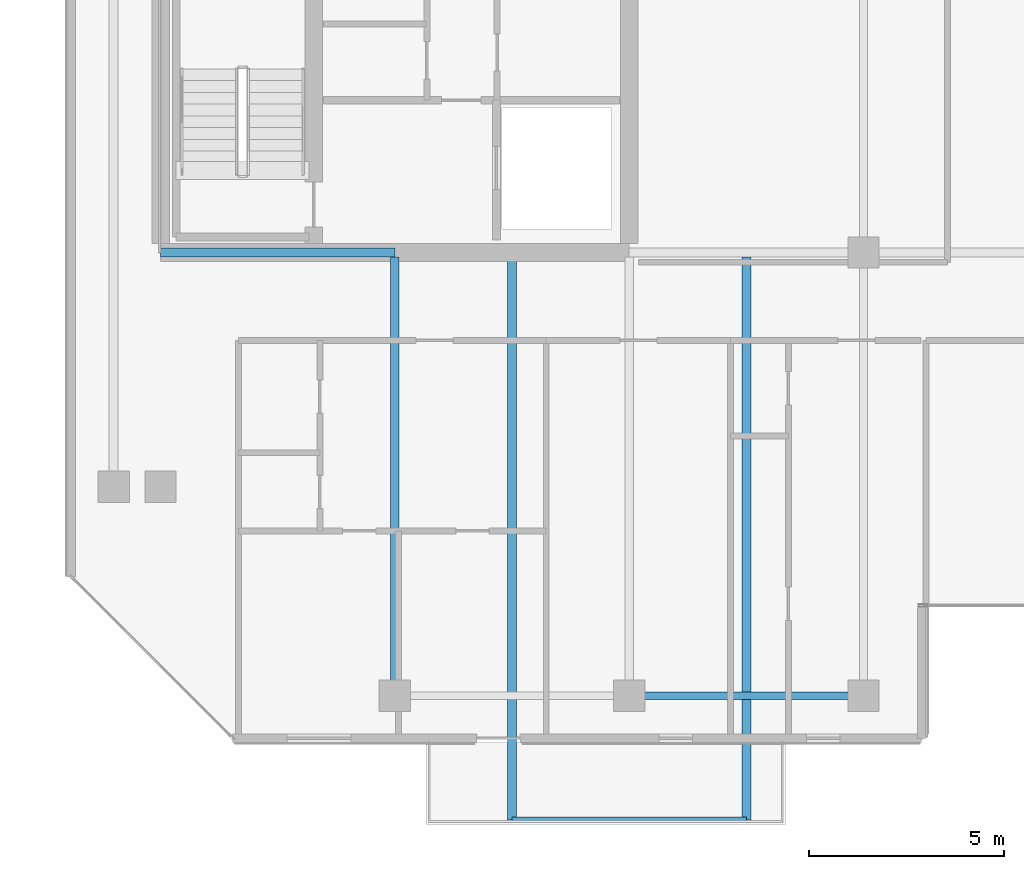
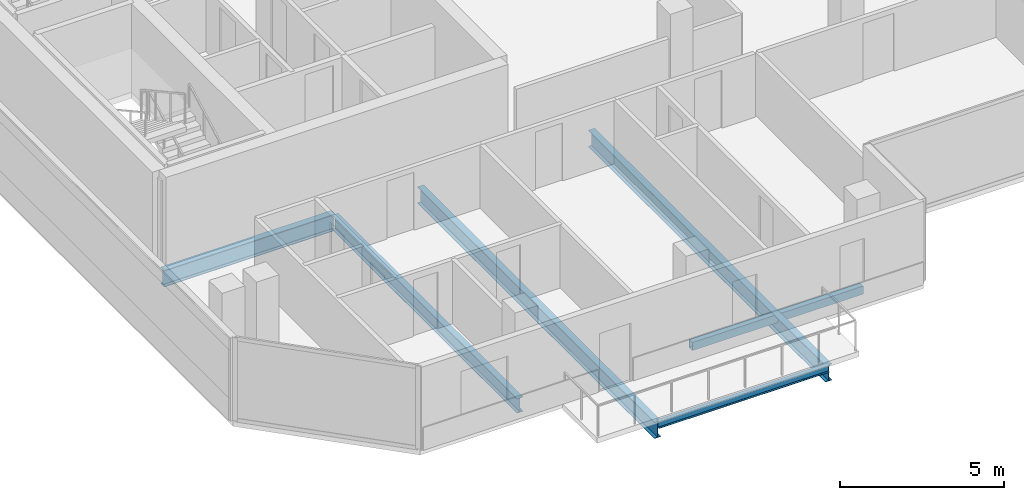
# One storey, part 3 of 28: 6 beams.
"""IFC4 building model written with IfcOpenShell, lengths in metres."""

from ifc_helpers import new_model, si_unit, direction, frame, origin, origin_2d, place, context, subcontext, project, spatial, hollow_rectangle, i_section, extrude, material, material_profile, profile_set, type_object, element, save


model = new_model("IFC4")

# Units and contexts
model_context = context("Model", 3, precision=1e-05, world=origin(), true_north=direction((0.0, 1.0)))
body_context = subcontext(model_context, "Body", "Model", "MODEL_VIEW")
ifc_project = project(units=[si_unit("LENGTHUNIT", "METRE"), si_unit("AREAUNIT", "SQUARE_METRE"), si_unit("VOLUMEUNIT", "CUBIC_METRE"), si_unit("PLANEANGLEUNIT", "RADIAN"), si_unit("MASSUNIT", "GRAM", prefix="KILO")], contexts=[model_context])

# Site, building, storey
site_placement = place(None, origin())
site = spatial("IfcSite", under=ifc_project, at=site_placement, CompositionType="ELEMENT")
building_placement = place(site_placement, origin())
building = spatial("IfcBuilding", under=site, at=building_placement, Name="Tanjung Sevakor Pilgrim Tower", CompositionType="ELEMENT")
storey_placement = place(building_placement, frame((0.0, 0.0, 185.1298828125)))
storey = spatial("IfcBuildingStorey", under=building, at=storey_placement, Name="L51", CompositionType="ELEMENT", Elevation=185.1298828125)

# Beams
ifc_material_1 = material(Name="Steel S355J2", Category="steel")
ifc_material_profile_1 = material_profile(ifc_material_1, i_section(OverallWidth=0.22900390625, OverallDepth=0.6123046875, WebThickness=0.011962890625, FlangeThickness=0.01953125, FilletRadius=0.0126953125, at=origin_2d()))
ifc_profile_set_1 = profile_set([ifc_material_profile_1], Name="Steel S355J2")
beam_type_1 = type_object("IfcBeamType", Name="BM-B-G4-UB_610x229x125", PredefinedType="BEAM", material=ifc_profile_set_1)
beam_1_placement = place(storey_placement, frame((24.0, 24.60009765625, -0.52587890625), z_axis=(1.0, 0.0, 0.0), x_axis=(0.0, 1.0, 0.0)))
element("IfcBeam", 1, at=beam_1_placement, inside=storey, type_object=beam_type_1, Name="L51 Primary Floor Girder MAIN Y246-01", PredefinedType="BEAM", context=body_context, shape_type="SweptSolid", body=[
    extrude(i_section(OverallWidth=0.22900390625, OverallDepth=0.6123046875, WebThickness=0.011962890625, FlangeThickness=0.01953125, FilletRadius=0.0126953125, at=origin_2d()), origin(), (0.0, 0.0, 1.0), 6.0),
])
for number, where, z_axis, x_axis, name in (
    (2, (33.0, 24.485595703125, -0.52587890625), (0.0, -1.0, 0.0), (1.0, 0.0, 0.0), "L51 Balcony Cantilever Beam MAIN-S1-1"),
    (3, (39.0, 24.485595703125, -0.52587890625), (0.0, -1.0, 0.0), (1.0, 0.0, 0.0), "L51 Balcony Cantilever Beam MAIN-S1-2"),
):
    element("IfcBeam", number, at=place(storey_placement, frame(where, z_axis=z_axis, x_axis=x_axis)), inside=storey, type_object=beam_type_1, Name=name, PredefinedType="BEAM", context=body_context, shape_type="SweptSolid", body=[
        extrude(i_section(OverallWidth=0.22900390625, OverallDepth=0.6123046875, WebThickness=0.011962890625, FlangeThickness=0.01953125, FilletRadius=0.0126953125, at=origin_2d()), origin(), (0.0, 0.0, 1.0), 14.41552734375),
    ])
ifc_material_2 = material(Name="Steel S355J2", Category="steel")
ifc_material_profile_2 = material_profile(ifc_material_2, i_section(OverallWidth=0.2119140625, OverallDepth=0.54443359375, WebThickness=0.0126953125, FlangeThickness=0.021240234375, FilletRadius=0.0126953125, at=origin_2d()))
ifc_profile_set_2 = profile_set([ifc_material_profile_2], Name="Steel S355J2")
beam_type_2 = type_object("IfcBeamType", Name="BM-B-G5-UB_533x210x122", PredefinedType="BEAM", material=ifc_profile_set_2)
beam_2_placement = place(storey_placement, frame((30.0, 13.25, -0.4921875), z_axis=(0.0, 1.0, 0.0), x_axis=(-1.0, 0.0, 0.0)))
element("IfcBeam", 4, at=beam_2_placement, inside=storey, type_object=beam_type_2, Name="L51 MAIN Girder 001", PredefinedType="BEAM", context=body_context, shape_type="SweptSolid", body=[
    extrude(i_section(OverallWidth=0.2119140625, OverallDepth=0.54443359375, WebThickness=0.0126953125, FlangeThickness=0.021240234375, FilletRadius=0.0126953125, at=origin_2d()), origin(), (0.0, 0.0, 1.0), 11.235595703125),
])
ifc_material_3 = material(Name="Steel S355J2", Category="steel")
ifc_material_profile_3 = material_profile(ifc_material_3, i_section(OverallWidth=0.146484375, OverallDepth=0.256103515625, WebThickness=0.00634765625, FlangeThickness=0.010986328125, FilletRadius=0.007568359375, at=origin_2d()))
ifc_profile_set_3 = profile_set([ifc_material_profile_3], Name="Steel S355J2")
beam_type_3 = type_object("IfcBeamType", Name="BM-B-J6-UB_254x146x37", PredefinedType="JOIST", material=ifc_profile_set_3)
beam_3_placement = place(storey_placement, frame((33.0, 10.070068359375, -0.327880859375), z_axis=(1.0, 0.0, 0.0), x_axis=(0.0, 1.0, 0.0)))
element("IfcBeam", 5, at=beam_3_placement, inside=storey, type_object=beam_type_3, Name="L51 Balcony Rim Tie MAIN-S1", PredefinedType="JOIST", context=body_context, shape_type="SweptSolid", body=[
    extrude(i_section(OverallWidth=0.146484375, OverallDepth=0.256103515625, WebThickness=0.00634765625, FlangeThickness=0.010986328125, FilletRadius=0.007568359375, at=origin_2d()), origin(), (0.0, 0.0, 1.0), 6.0),
])
ifc_material_4 = material(Name="Steel S355J2", Category="steel")
ifc_material_profile_4 = material_profile(ifc_material_4, hollow_rectangle(XDim=0.199951171875, YDim=0.300048828125, WallThickness=0.012451171875, at=origin_2d()))
ifc_profile_set_4 = profile_set([ifc_material_profile_4], Name="Steel S355J2")
beam_type_4 = type_object("IfcBeamType", Name="BM-B-SP3-RHS_300x200x12.5", PredefinedType="SPANDREL", material=ifc_profile_set_4)
beam_4_placement = place(storey_placement, frame((36.0, 13.25, -0.369873046875), z_axis=(1.0, 0.0, 0.0), x_axis=(0.0, 1.0, 0.0)))
element("IfcBeam", 6, at=beam_4_placement, inside=storey, type_object=beam_type_4, Name="L51 Spandrel MAIN S-03", PredefinedType="SPANDREL", context=body_context, shape_type="SweptSolid", body=[
    extrude(hollow_rectangle(XDim=0.199951171875, YDim=0.300048828125, WallThickness=0.012451171875, at=origin_2d()), origin(), (0.0, 0.0, 1.0), 6.0),
])

save(model, "model.ifc")
